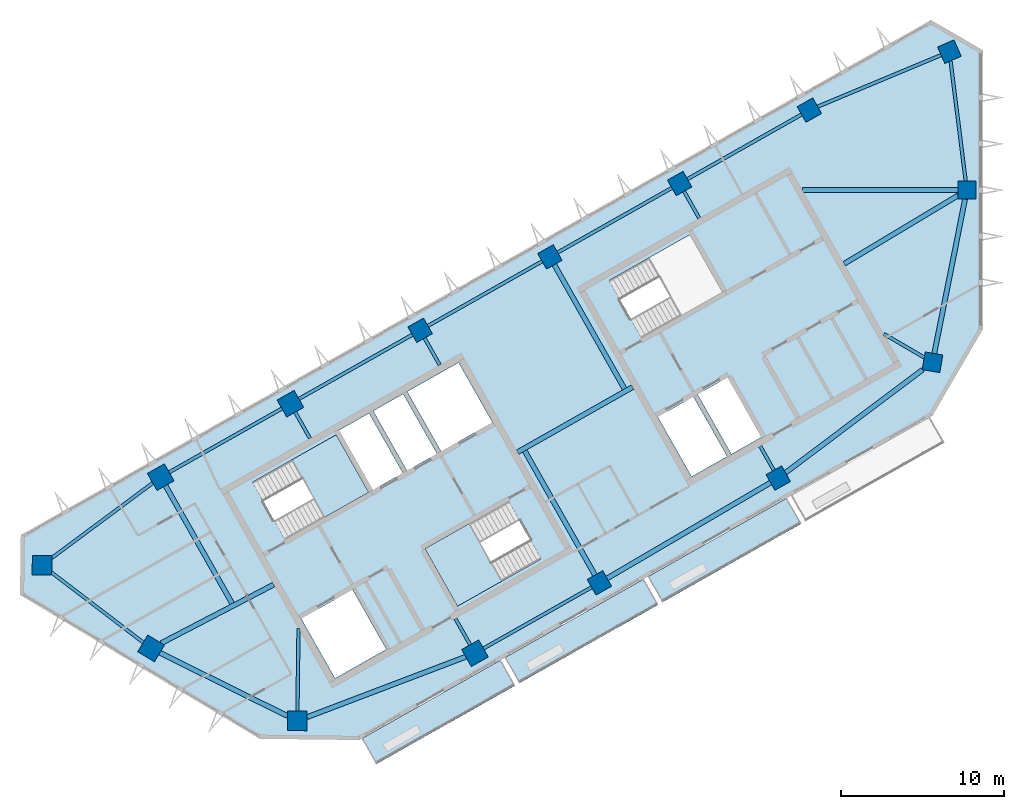
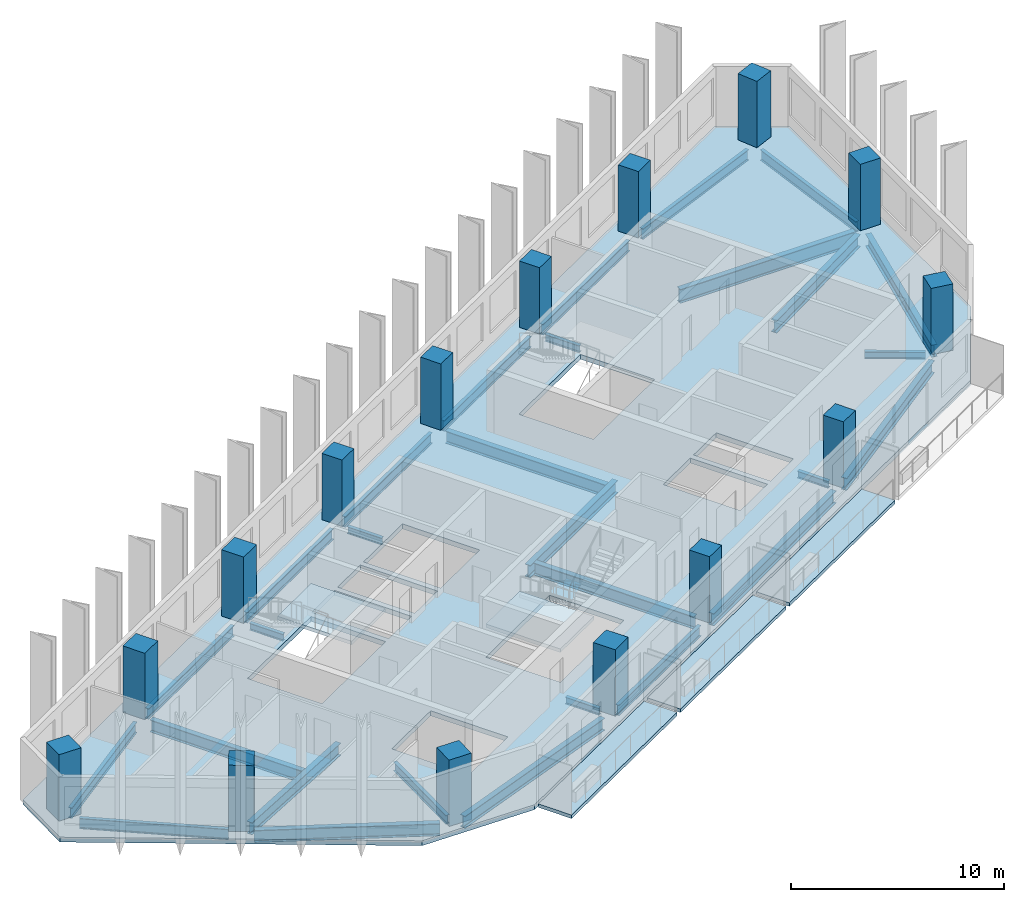
# One storey, part 1 of 8: 29 beams, 15 columns, 6 slabs, 2 elements without a shape of their own.
"""IFC4 building model written with IfcOpenShell, lengths in metres."""

from ifc_helpers import new_model, si_unit, direction, frame, origin, origin_2d, place, context, subcontext, project, spatial, polyline, rectangle, i_section, outline, extrude, material, layer, layer_set, material_profile, profile_set, type_object, element, aggregate, save


model = new_model("IFC4")

# Units and contexts
model_context = context("Model", 3, precision=1e-05, world=origin(), true_north=direction((0.0, 1.0)))
body_context = subcontext(model_context, "Body", "Model", "MODEL_VIEW")
ifc_project = project(units=[si_unit("LENGTHUNIT", "METRE"), si_unit("AREAUNIT", "SQUARE_METRE"), si_unit("VOLUMEUNIT", "CUBIC_METRE"), si_unit("PLANEANGLEUNIT", "RADIAN"), si_unit("MASSUNIT", "GRAM", prefix="KILO")], contexts=[model_context])

# Site, building, storey
site_placement = place(None, origin())
site = spatial("IfcSite", under=ifc_project, at=site_placement, CompositionType="ELEMENT")
building_placement = place(site_placement, origin())
building = spatial("IfcBuilding", under=site, at=building_placement, Name="Binnacle Exchange Tower", CompositionType="ELEMENT")
storey_placement = place(building_placement, frame((0.0, 0.0, 293.10009765625)))
storey = spatial("IfcBuildingStorey", under=building, at=storey_placement, Name="L65", CompositionType="ELEMENT", Elevation=293.10009765625)

# Columns
ifc_material_1 = material(Name="Concrete C60/75", Category="concrete")
ifc_material_profile_1 = material_profile(ifc_material_1, rectangle(XDim=1.10009765625, YDim=1.10009765625, at=origin_2d()), Name="Mega column 1100x1100 C60/75")
ifc_profile_set_1 = profile_set([ifc_material_profile_1], Name="Concrete C60/75")
column_type_1 = type_object("IfcColumnType", Name="Mega column 1100x1100 C60/75", PredefinedType="COLUMN", material=ifc_profile_set_1)
for number, where, z_axis, x_axis, name in (
    (1, (-10.4951171875, 64.901611328125, 0.0), (0.0, 0.0, 1.0), (-0.87035569594, -0.492423560103, 0.0), "S:COL:MC38:L65"),
    (2, (-18.44140625, 60.406005859375, 0.0), (0.0, 0.0, 1.0), (-0.87035569594, -0.492423560103, 0.0), "S:COL:MC29:L65"),
    (3, (-26.3876953125, 55.91015625, 0.0), (0.0, 0.0, 1.0), (-0.87035569594, -0.492423560103, 0.0), "S:COL:MC21:L65"),
    (4, (-34.333740234375, 51.414306640625, 0.0), (0.0, 0.0, 1.0), (-0.87035569594, -0.492423560103, 0.0), "S:COL:MC13:L65"),
    (5, (-23.35595703125, 35.9462890625, 0.0), (0.0, 0.0, 1.0), (0.87035569594, 0.492423560103, 0.0), "S:COL:MC16:L65"),
    (6, (-2.955322265625, 49.45556640625, 0.0), (0.0, 0.0, 1.0), (-0.98522612636, 0.171258517854, 0.0), "S:COL:MC43:L65"),
    (7, (-0.85009765625, 60.0, 0.0), (0.0, 0.0, 1.0), (0.0, 1.0, 0.0), "S:COL:MC45:L65"),
    (8, (-1.920166015625, 68.4833984375, 0.0), (0.0, 0.0, 1.0), (-0.91471298536, -0.40410413808, 0.0), "S:COL:MC44:L65"),
    (9, (-12.39990234375, 42.36328125, 0.0), (0.0, 0.0, 1.0), (0.87035569594, 0.492423560103, 0.0), "S:COL:MC30:L65"),
):
    element("IfcColumn", number, at=place(storey_placement, frame(where, z_axis=z_axis, x_axis=x_axis)), inside=storey, type_object=column_type_1, Name=name, PredefinedType="COLUMN", context=body_context, shape_type="SweptSolid", body=[
        extrude(rectangle(XDim=1.10009765625, YDim=1.10009765625, at=origin_2d()), origin(), (0.0, 0.0, 1.0), 3.7998046875),
    ])
ifc_material_profile_2 = material_profile(ifc_material_1, rectangle(XDim=1.199951171875, YDim=1.199951171875, at=origin_2d()), Name="Mega column 1200x1200 C60/75")
ifc_profile_set_2 = profile_set([ifc_material_profile_2], Name="Concrete C60/75")
column_type_2 = type_object("IfcColumnType", Name="Mega column 1200x1200 C60/75", PredefinedType="COLUMN", material=ifc_profile_set_2)
for number, where, z_axis, x_axis, name in (
    (10, (-42.280029296875, 46.918701171875, 0.0), (0.0, 0.0, 1.0), (-0.87035569594, -0.492423560103, 0.0), "S:COL:MC08:L65"),
    (11, (-50.226318359375, 42.4228515625, 0.0), (0.0, 0.0, 1.0), (-0.87035569594, -0.492423560103, 0.0), "S:COL:MC04:L65"),
    (12, (-57.492919921875, 37.02734375, 0.0), (0.0, 0.0, 1.0), (-0.013089595571, -0.999914327574, 0.0), "S:COL:MC02:L65"),
    (13, (-50.81201171875, 31.930908203125, 0.0), (0.0, 0.0, 1.0), (0.857167300702, -0.51503807491, 0.0), "S:COL:MC01:L65"),
    (14, (-41.857666015625, 27.494873046875, 0.0), (0.0, 0.0, 1.0), (0.999914327574, -0.013089595571, 0.0), "S:COL:MC03:L65"),
    (15, (-30.9755859375, 31.63525390625, 0.0), (0.0, 0.0, 1.0), (0.87035569594, 0.492423560103, 0.0), "S:COL:MC07:L65"),
):
    element("IfcColumn", number, at=place(storey_placement, frame(where, z_axis=z_axis, x_axis=x_axis)), inside=storey, type_object=column_type_2, Name=name, PredefinedType="COLUMN", context=body_context, shape_type="SweptSolid", body=[
        extrude(rectangle(XDim=1.199951171875, YDim=1.199951171875, at=origin_2d()), origin(), (0.0, 0.0, 1.0), 3.7998046875),
    ])

# Beams
ifc_material_2 = material(Name="Steel S355 (SHN355)", Category="steel")
ifc_material_profile_3 = material_profile(ifc_material_2, i_section(OverallWidth=0.199951171875, OverallDepth=0.60009765625, WebThickness=0.010986328125, FlangeThickness=0.01708984375, FilletRadius=0.02197265625, at=origin_2d()), Name="H 600x200x11x17")
ifc_profile_set_3 = profile_set([ifc_material_profile_3], Name="Steel S355 (SHN355)")
beam_type_1 = type_object("IfcBeamType", Name="Edge girder H 600x200x11x17 Steel S355 (SHN355)", PredefinedType="SPANDREL", material=ifc_profile_set_3)
beam_1_placement = place(storey_placement, frame((-56.89892578125, 36.57421875, -0.580078125), z_axis=(0.795079526259, -0.606505191176, 0.0), x_axis=(0.606505191176, 0.795079526259, 0.0)))
element("IfcBeam", 16, at=beam_1_placement, inside=storey, type_object=beam_type_1, Name="S:BM:edge:L65:004", PredefinedType="SPANDREL", context=body_context, shape_type="SweptSolid", body=[
    extrude(i_section(OverallWidth=0.199951171875, OverallDepth=0.60009765625, WebThickness=0.010986328125, FlangeThickness=0.01708984375, FilletRadius=0.02197265625, at=origin_2d()), origin(), (0.0, 0.0, 1.0), 7.052001953125),
])
ifc_material_profile_4 = material_profile(ifc_material_2, i_section(OverallWidth=0.200927734375, OverallDepth=0.60595703125, WebThickness=0.011962890625, FlangeThickness=0.02001953125, FilletRadius=0.02197265625, at=origin_2d()), Name="H 606x201x12x20")
ifc_profile_set_4 = profile_set([ifc_material_profile_4], Name="Steel S355 (SHN355)")
beam_type_2 = type_object("IfcBeamType", Name="Edge girder H 606x201x12x20 Steel S355 (SHN355)", PredefinedType="SPANDREL", material=ifc_profile_set_4)
beam_2_placement = place(storey_placement, frame((-50.711669921875, 42.0625, -0.5830078125), z_axis=(-0.802889255085, -0.596128211099, 0.0), x_axis=(0.596128211099, -0.802889255085, 0.0)))
element("IfcBeam", 17, at=beam_2_placement, inside=storey, type_object=beam_type_2, Name="S:BM:edge:L65:005", PredefinedType="SPANDREL", context=body_context, shape_type="SweptSolid", body=[
    extrude(i_section(OverallWidth=0.200927734375, OverallDepth=0.60595703125, WebThickness=0.011962890625, FlangeThickness=0.02001953125, FilletRadius=0.02197265625, at=origin_2d()), origin(), (0.0, 0.0, 1.0), 7.691650390625),
])
beam_3_placement = place(storey_placement, frame((-30.453369140625, 31.930908203125, -0.5830078125), z_axis=(0.870370831478, 0.49239680717, 0.0), x_axis=(-0.49239680717, 0.870370831478, 0.0)))
element("IfcBeam", 18, at=beam_3_placement, inside=storey, type_object=beam_type_2, Name="S:BM:edge:L65:010", PredefinedType="SPANDREL", context=body_context, shape_type="SweptSolid", body=[
    extrude(i_section(OverallWidth=0.200927734375, OverallDepth=0.60595703125, WebThickness=0.011962890625, FlangeThickness=0.02001953125, FilletRadius=0.02197265625, at=origin_2d()), origin(), (0.0, 0.0, 1.0), 7.6044921875),
])
beam_4_placement = place(storey_placement, frame((-0.91943359375, 60.550048828125, -0.5830078125), z_axis=(-0.125160121745, 0.992136555079, 0.0), x_axis=(-0.992136555079, -0.125160121745, 0.0)))
element("IfcBeam", 19, at=beam_4_placement, inside=storey, type_object=beam_type_2, Name="S:BM:edge:L65:018", PredefinedType="SPANDREL", context=body_context, shape_type="SweptSolid", body=[
    extrude(i_section(OverallWidth=0.200927734375, OverallDepth=0.60595703125, WebThickness=0.011962890625, FlangeThickness=0.02001953125, FilletRadius=0.02197265625, at=origin_2d()), origin(), (0.0, 0.0, 1.0), 7.422119140625),
])
ifc_material_profile_5 = material_profile(ifc_material_2, i_section(OverallWidth=0.201904296875, OverallDepth=0.612060546875, WebThickness=0.012939453125, FlangeThickness=0.02294921875, FilletRadius=0.02197265625, at=origin_2d()), Name="H 612x202x13x23")
ifc_profile_set_5 = profile_set([ifc_material_profile_5], Name="Steel S355 (SHN355)")
beam_type_3 = type_object("IfcBeamType", Name="Edge girder H 612x202x13x23 Steel S355 (SHN355)", PredefinedType="SPANDREL", material=ifc_profile_set_5)
beam_5_placement = place(storey_placement, frame((-42.80224609375, 46.623291015625, -0.586181640625), z_axis=(-0.870360926906, -0.492414314288, 0.0), x_axis=(0.492414314288, -0.870360926906, 0.0)))
element("IfcBeam", 20, at=beam_5_placement, inside=storey, type_object=beam_type_3, Name="S:BM:edge:L65:007", PredefinedType="SPANDREL", context=body_context, shape_type="SweptSolid", body=[
    extrude(i_section(OverallWidth=0.201904296875, OverallDepth=0.612060546875, WebThickness=0.012939453125, FlangeThickness=0.02294921875, FilletRadius=0.02197265625, at=origin_2d()), origin(), (0.0, 0.0, 1.0), 7.929931640625),
])
beam_6_placement = place(storey_placement, frame((-34.8125, 51.1435546875, -0.586181640625), z_axis=(-0.870357059543, -0.492421149935, 0.0), x_axis=(0.492421149935, -0.870357059543, 0.0)))
element("IfcBeam", 21, at=beam_6_placement, inside=storey, type_object=beam_type_3, Name="S:BM:edge:L65:009", PredefinedType="SPANDREL", context=body_context, shape_type="SweptSolid", body=[
    extrude(i_section(OverallWidth=0.201904296875, OverallDepth=0.612060546875, WebThickness=0.012939453125, FlangeThickness=0.02294921875, FilletRadius=0.02197265625, at=origin_2d()), origin(), (0.0, 0.0, 1.0), 7.979736328125),
])
beam_7_placement = place(storey_placement, frame((-26.8662109375, 55.639404296875, -0.586181640625), z_axis=(-0.870353240257, -0.492427900482, 0.0), x_axis=(0.492427900482, -0.870353240257, 0.0)))
element("IfcBeam", 22, at=beam_7_placement, inside=storey, type_object=beam_type_3, Name="S:BM:edge:L65:011", PredefinedType="SPANDREL", context=body_context, shape_type="SweptSolid", body=[
    extrude(i_section(OverallWidth=0.201904296875, OverallDepth=0.612060546875, WebThickness=0.012939453125, FlangeThickness=0.02294921875, FilletRadius=0.02197265625, at=origin_2d()), origin(), (0.0, 0.0, 1.0), 8.02978515625),
])
beam_8_placement = place(storey_placement, frame((-18.919921875, 60.13525390625, -0.586181640625), z_axis=(-0.870347582166, -0.492437900875, 0.0), x_axis=(0.492437900875, -0.870347582166, 0.0)))
element("IfcBeam", 23, at=beam_8_placement, inside=storey, type_object=beam_type_3, Name="S:BM:edge:L65:013", PredefinedType="SPANDREL", context=body_context, shape_type="SweptSolid", body=[
    extrude(i_section(OverallWidth=0.201904296875, OverallDepth=0.612060546875, WebThickness=0.012939453125, FlangeThickness=0.02294921875, FilletRadius=0.02197265625, at=origin_2d()), origin(), (0.0, 0.0, 1.0), 8.030029296875),
])
beam_9_placement = place(storey_placement, frame((-10.973876953125, 64.630859375, -0.586181640625), z_axis=(-0.870353240257, -0.492427900482, 0.0), x_axis=(0.492427900482, -0.870353240257, 0.0)))
element("IfcBeam", 24, at=beam_9_placement, inside=storey, type_object=beam_type_3, Name="S:BM:edge:L65:015", PredefinedType="SPANDREL", context=body_context, shape_type="SweptSolid", body=[
    extrude(i_section(OverallWidth=0.201904296875, OverallDepth=0.612060546875, WebThickness=0.012939453125, FlangeThickness=0.02294921875, FilletRadius=0.02197265625, at=origin_2d()), origin(), (0.0, 0.0, 1.0), 8.02978515625),
])
beam_10_placement = place(storey_placement, frame((-2.427734375, 68.271240234375, -0.586181640625), z_axis=(-0.922746687756, -0.385406992977, 0.0), x_axis=(0.385406992977, -0.922746687756, 0.0)))
element("IfcBeam", 25, at=beam_10_placement, inside=storey, type_object=beam_type_3, Name="S:BM:edge:L65:017", PredefinedType="SPANDREL", context=body_context, shape_type="SweptSolid", body=[
    extrude(i_section(OverallWidth=0.201904296875, OverallDepth=0.612060546875, WebThickness=0.012939453125, FlangeThickness=0.02294921875, FilletRadius=0.02197265625, at=origin_2d()), origin(), (0.0, 0.0, 1.0), 8.188720703125),
])
ifc_material_profile_6 = material_profile(ifc_material_2, i_section(OverallWidth=0.300048828125, OverallDepth=0.699951171875, WebThickness=0.012939453125, FlangeThickness=0.02392578125, FilletRadius=0.028076171875, at=origin_2d()), Name="H 700x300x13x24")
ifc_profile_set_6 = profile_set([ifc_material_profile_6], Name="Steel S355 (SHN355)")
beam_type_4 = type_object("IfcBeamType", Name="Edge girder H 700x300x13x24 Steel S355 (SHN355)", PredefinedType="SPANDREL", material=ifc_profile_set_6)
beam_11_placement = place(storey_placement, frame((-50.272705078125, 31.663818359375, -0.630126953125), z_axis=(0.896066323919, -0.443920199066, 0.0), x_axis=(0.443920199066, 0.896066323919, 0.0)))
element("IfcBeam", 26, at=beam_11_placement, inside=storey, type_object=beam_type_4, Name="S:BM:edge:L65:006", PredefinedType="SPANDREL", context=body_context, shape_type="SweptSolid", body=[
    extrude(i_section(OverallWidth=0.300048828125, OverallDepth=0.699951171875, WebThickness=0.012939453125, FlangeThickness=0.02392578125, FilletRadius=0.028076171875, at=origin_2d()), origin(), (0.0, 0.0, 1.0), 8.725830078125),
])
beam_12_placement = place(storey_placement, frame((-41.254638671875, 27.724365234375, -0.630126953125), z_axis=(0.934635421438, 0.355607408519, 0.0), x_axis=(-0.355607408519, 0.934635421438, 0.0)))
element("IfcBeam", 27, at=beam_12_placement, inside=storey, type_object=beam_type_4, Name="S:BM:edge:L65:008", PredefinedType="SPANDREL", context=body_context, shape_type="SweptSolid", body=[
    extrude(i_section(OverallWidth=0.300048828125, OverallDepth=0.699951171875, WebThickness=0.012939453125, FlangeThickness=0.02392578125, FilletRadius=0.028076171875, at=origin_2d()), origin(), (0.0, 0.0, 1.0), 10.390869140625),
])
beam_13_placement = place(storey_placement, frame((-11.95654296875, 42.6962890625, -0.630126953125), z_axis=(0.799642767002, 0.600476015493, 0.0), x_axis=(-0.600476015493, 0.799642767002, 0.0)))
element("IfcBeam", 28, at=beam_13_placement, inside=storey, type_object=beam_type_4, Name="S:BM:edge:L65:014", PredefinedType="SPANDREL", context=body_context, shape_type="SweptSolid", body=[
    extrude(i_section(OverallWidth=0.300048828125, OverallDepth=0.699951171875, WebThickness=0.012939453125, FlangeThickness=0.02392578125, FilletRadius=0.028076171875, at=origin_2d()), origin(), (0.0, 0.0, 1.0), 10.50146484375),
])
beam_14_placement = place(storey_placement, frame((-2.84765625, 49.9951171875, -0.630126953125), z_axis=(0.195814210945, 0.980641012191, 0.0), x_axis=(-0.980641012191, 0.195814210945, 0.0)))
element("IfcBeam", 29, at=beam_14_placement, inside=storey, type_object=beam_type_4, Name="S:BM:edge:L65:016", PredefinedType="SPANDREL", context=body_context, shape_type="SweptSolid", body=[
    extrude(i_section(OverallWidth=0.300048828125, OverallDepth=0.699951171875, WebThickness=0.012939453125, FlangeThickness=0.02392578125, FilletRadius=0.028076171875, at=origin_2d()), origin(), (0.0, 0.0, 1.0), 9.6416015625),
])
ifc_material_profile_7 = material_profile(ifc_material_2, i_section(OverallWidth=0.302001953125, OverallDepth=0.7080078125, WebThickness=0.014892578125, FlangeThickness=0.028076171875, FilletRadius=0.028076171875, at=origin_2d()), Name="H 708x302x15x28")
ifc_profile_set_7 = profile_set([ifc_material_profile_7], Name="Steel S355 (SHN355)")
beam_type_5 = type_object("IfcBeamType", Name="Edge girder H 708x302x15x28 Steel S355 (SHN355)", PredefinedType="SPANDREL", material=ifc_profile_set_7)
beam_15_placement = place(storey_placement, frame((-22.88134765625, 36.22412109375, -0.634033203125), z_axis=(0.86288572191, 0.50539908085, 0.0), x_axis=(-0.50539908085, 0.86288572191, 0.0)))
element("IfcBeam", 30, at=beam_15_placement, inside=storey, type_object=beam_type_5, Name="S:BM:edge:L65:012", PredefinedType="SPANDREL", context=body_context, shape_type="SweptSolid", body=[
    extrude(i_section(OverallWidth=0.302001953125, OverallDepth=0.7080078125, WebThickness=0.014892578125, FlangeThickness=0.028076171875, FilletRadius=0.028076171875, at=origin_2d()), origin(), (0.0, 0.0, 1.0), 11.596923828125),
])
ifc_material_profile_8 = material_profile(ifc_material_2, i_section(OverallWidth=0.199951171875, OverallDepth=0.39990234375, WebThickness=0.008056640625, FlangeThickness=0.012939453125, FilletRadius=0.01611328125, at=origin_2d()), Name="H 400x200x8x13")
ifc_profile_set_8 = profile_set([ifc_material_profile_8], Name="Steel S355 (SHN355)")
beam_type_6 = type_object("IfcBeamType", Name="Floor beam H 400x200x8x13 Steel S355 (SHN355)", PredefinedType="BEAM", material=ifc_profile_set_8)
beam_16_placement = place(storey_placement, frame((-41.984619140625, 46.396484375, -0.47998046875), z_axis=(0.492465079532, -0.87033220407, 0.0), x_axis=(0.87033220407, 0.492465079532, 0.0)))
element("IfcBeam", 31, at=beam_16_placement, inside=storey, type_object=beam_type_6, Name="S:BM:cross:L65:020", PredefinedType="BEAM", context=body_context, shape_type="SweptSolid", body=[
    extrude(i_section(OverallWidth=0.199951171875, OverallDepth=0.39990234375, WebThickness=0.008056640625, FlangeThickness=0.012939453125, FilletRadius=0.01611328125, at=origin_2d()), origin(), (0.0, 0.0, 1.0), 1.834228515625),
])
beam_17_placement = place(storey_placement, frame((-34.06298828125, 50.935791015625, -0.47998046875), z_axis=(0.492437150105, -0.870348006947, 0.0), x_axis=(0.870348006947, 0.492437150105, 0.0)))
element("IfcBeam", 32, at=beam_17_placement, inside=storey, type_object=beam_type_6, Name="S:BM:cross:L65:022", PredefinedType="BEAM", context=body_context, shape_type="SweptSolid", body=[
    extrude(i_section(OverallWidth=0.199951171875, OverallDepth=0.39990234375, WebThickness=0.008056640625, FlangeThickness=0.012939453125, FilletRadius=0.01611328125, at=origin_2d()), origin(), (0.0, 0.0, 1.0), 1.884521484375),
])
beam_18_placement = place(storey_placement, frame((-31.27099609375, 32.157470703125, -0.47998046875), z_axis=(-0.492465079532, 0.87033220407, 0.0), x_axis=(-0.87033220407, -0.492465079532, 0.0)))
element("IfcBeam", 33, at=beam_18_placement, inside=storey, type_object=beam_type_6, Name="S:BM:cross:L65:023", PredefinedType="BEAM", context=body_context, shape_type="SweptSolid", body=[
    extrude(i_section(OverallWidth=0.199951171875, OverallDepth=0.39990234375, WebThickness=0.008056640625, FlangeThickness=0.012939453125, FilletRadius=0.01611328125, at=origin_2d()), origin(), (0.0, 0.0, 1.0), 1.834228515625),
])
beam_19_placement = place(storey_placement, frame((-18.17041015625, 59.92724609375, -0.47998046875), z_axis=(0.492394529663, -0.870372119934, 0.0), x_axis=(0.870372119934, 0.492394529663, 0.0)))
element("IfcBeam", 34, at=beam_19_placement, inside=storey, type_object=beam_type_6, Name="S:BM:cross:L65:026", PredefinedType="BEAM", context=body_context, shape_type="SweptSolid", body=[
    extrude(i_section(OverallWidth=0.199951171875, OverallDepth=0.39990234375, WebThickness=0.008056640625, FlangeThickness=0.012939453125, FilletRadius=0.01611328125, at=origin_2d()), origin(), (0.0, 0.0, 1.0), 1.884033203125),
])
beam_20_placement = place(storey_placement, frame((-12.6708984375, 42.841796875, -0.47998046875), z_axis=(-0.492394350893, 0.870372221069, 0.0), x_axis=(-0.870372221069, -0.492394350893, 0.0)))
element("IfcBeam", 35, at=beam_20_placement, inside=storey, type_object=beam_type_6, Name="S:BM:cross:L65:027", PredefinedType="BEAM", context=body_context, shape_type="SweptSolid", body=[
    extrude(i_section(OverallWidth=0.199951171875, OverallDepth=0.39990234375, WebThickness=0.008056640625, FlangeThickness=0.012939453125, FilletRadius=0.01611328125, at=origin_2d()), origin(), (0.0, 0.0, 1.0), 1.6943359375),
])
beam_21_placement = place(storey_placement, frame((-3.46240234375, 49.751220703125, -0.47998046875), z_axis=(-0.863840862356, 0.503764790874, 0.0), x_axis=(-0.503764790874, -0.863840862356, 0.0)))
element("IfcBeam", 36, at=beam_21_placement, inside=storey, type_object=beam_type_6, Name="S:BM:cross:L65:028", PredefinedType="BEAM", context=body_context, shape_type="SweptSolid", body=[
    extrude(i_section(OverallWidth=0.199951171875, OverallDepth=0.39990234375, WebThickness=0.008056640625, FlangeThickness=0.012939453125, FilletRadius=0.01611328125, at=origin_2d()), origin(), (0.0, 0.0, 1.0), 2.85791015625),
])
ifc_material_profile_9 = material_profile(ifc_material_2, i_section(OverallWidth=0.200927734375, OverallDepth=0.506103515625, WebThickness=0.010986328125, FlangeThickness=0.01904296875, FilletRadius=0.02001953125, at=origin_2d()), Name="H 506x201x11x19")
ifc_profile_set_9 = profile_set([ifc_material_profile_9], Name="Steel S355 (SHN355)")
beam_type_7 = type_object("IfcBeamType", Name="Floor beam H 506x201x11x19 Steel S355 (SHN355)", PredefinedType="BEAM", material=ifc_profile_set_9)
beam_22_placement = place(storey_placement, frame((-41.849853515625, 28.0947265625, -0.533203125), z_axis=(0.013099523714, 0.999914197558, 0.0), x_axis=(-0.999914197558, 0.013099523714, 0.0)))
element("IfcBeam", 37, at=beam_22_placement, inside=storey, type_object=beam_type_7, Name="S:BM:cross:L65:021", PredefinedType="BEAM", context=body_context, shape_type="SweptSolid", body=[
    extrude(i_section(OverallWidth=0.200927734375, OverallDepth=0.506103515625, WebThickness=0.010986328125, FlangeThickness=0.01904296875, FilletRadius=0.02001953125, at=origin_2d()), origin(), (0.0, 0.0, 1.0), 5.05078125),
])
ifc_material_profile_10 = material_profile(ifc_material_2, i_section(OverallWidth=0.300048828125, OverallDepth=0.699951171875, WebThickness=0.012939453125, FlangeThickness=0.02392578125, FilletRadius=0.028076171875, at=origin_2d()), Name="H 700x300x13x24")
ifc_profile_set_10 = profile_set([ifc_material_profile_10], Name="Steel S355 (SHN355)")
beam_type_8 = type_object("IfcBeamType", Name="Floor beam H 700x300x13x24 Steel S355 (SHN355)", PredefinedType="BEAM", material=ifc_profile_set_10)
beam_23_placement = place(storey_placement, frame((-49.9306640625, 41.900634765625, -0.630126953125), z_axis=(0.492421066821, -0.870357106566, 0.0), x_axis=(0.870357106566, 0.492421066821, 0.0)))
element("IfcBeam", 38, at=beam_23_placement, inside=storey, type_object=beam_type_8, Name="S:BM:cross:L65:019", PredefinedType="BEAM", context=body_context, shape_type="SweptSolid", body=[
    extrude(i_section(OverallWidth=0.300048828125, OverallDepth=0.699951171875, WebThickness=0.012939453125, FlangeThickness=0.02392578125, FilletRadius=0.028076171875, at=origin_2d()), origin(), (0.0, 0.0, 1.0), 8.291259765625),
])
ifc_material_profile_11 = material_profile(ifc_material_2, i_section(OverallWidth=0.302001953125, OverallDepth=0.7080078125, WebThickness=0.014892578125, FlangeThickness=0.028076171875, FilletRadius=0.028076171875, at=origin_2d()), Name="H 708x302x15x28")
ifc_profile_set_11 = profile_set([ifc_material_profile_11], Name="Steel S355 (SHN355)")
beam_type_9 = type_object("IfcBeamType", Name="Floor beam H 708x302x15x28 Steel S355 (SHN355)", PredefinedType="BEAM", material=ifc_profile_set_11)
beam_24_placement = place(storey_placement, frame((-26.11669921875, 55.431396484375, -0.634033203125), z_axis=(0.492413671625, -0.870361290497, 0.0), x_axis=(0.870361290497, 0.492413671625, 0.0)))
element("IfcBeam", 39, at=beam_24_placement, inside=storey, type_object=beam_type_9, Name="S:BM:cross:L65:024", PredefinedType="BEAM", context=body_context, shape_type="SweptSolid", body=[
    extrude(i_section(OverallWidth=0.302001953125, OverallDepth=0.7080078125, WebThickness=0.014892578125, FlangeThickness=0.028076171875, FilletRadius=0.028076171875, at=origin_2d()), origin(), (0.0, 0.0, 1.0), 8.734130859375),
])
beam_25_placement = place(storey_placement, frame((-23.626708984375, 36.4248046875, -0.634033203125), z_axis=(-0.492422866295, 0.870356088477, 0.0), x_axis=(-0.870356088477, -0.492422866295, 0.0)))
element("IfcBeam", 40, at=beam_25_placement, inside=storey, type_object=beam_type_9, Name="S:BM:cross:L65:025", PredefinedType="BEAM", context=body_context, shape_type="SweptSolid", body=[
    extrude(i_section(OverallWidth=0.302001953125, OverallDepth=0.7080078125, WebThickness=0.014892578125, FlangeThickness=0.028076171875, FilletRadius=0.028076171875, at=origin_2d()), origin(), (0.0, 0.0, 1.0), 8.734375),
])
ifc_material_profile_12 = material_profile(ifc_material_2, i_section(OverallWidth=0.300048828125, OverallDepth=0.800048828125, WebThickness=0.013916015625, FlangeThickness=0.02587890625, FilletRadius=0.028076171875, at=origin_2d()), Name="H 800x300x14x26")
ifc_profile_set_12 = profile_set([ifc_material_profile_12], Name="Steel S355 (SHN355)")
beam_type_10 = type_object("IfcBeamType", Name="Floor beam H 800x300x14x26 Steel S355 (SHN355)", PredefinedType="BEAM", material=ifc_profile_set_12)
beam_26_placement = place(storey_placement, frame((-1.39990234375, 60.0, -0.68017578125), z_axis=(-1.0, 0.0, 0.0), x_axis=(0.0, -1.0, 0.0)))
element("IfcBeam", 41, at=beam_26_placement, inside=storey, type_object=beam_type_10, Name="S:BM:cross:L65:029", PredefinedType="BEAM", context=body_context, shape_type="SweptSolid", body=[
    extrude(i_section(OverallWidth=0.300048828125, OverallDepth=0.800048828125, WebThickness=0.013916015625, FlangeThickness=0.02587890625, FilletRadius=0.028076171875, at=origin_2d()), origin(), (0.0, 0.0, 1.0), 9.51513671875),
])
ifc_material_profile_13 = material_profile(ifc_material_2, i_section(OverallWidth=0.300048828125, OverallDepth=0.699951171875, WebThickness=0.012939453125, FlangeThickness=0.02392578125, FilletRadius=0.028076171875, at=origin_2d()), Name="H 700x300x13x24")
ifc_profile_set_13 = profile_set([ifc_material_profile_13], Name="Steel S355 (SHN355)")
beam_type_11 = type_object("IfcBeamType", Name="Spine girder H 700x300x13x24 Steel S355 (SHN355)", PredefinedType="BEAM", material=ifc_profile_set_13)
beam_27_placement = place(storey_placement, frame((-50.18798828125, 32.255859375, -0.630126953125), z_axis=(0.886980159322, 0.461807532387, 0.0), x_axis=(-0.461807532387, 0.886980159322, 0.0)))
element("IfcBeam", 42, at=beam_27_placement, inside=storey, type_object=beam_type_11, Name="S:BM:spine:L65:001", PredefinedType="BEAM", context=body_context, shape_type="SweptSolid", body=[
    extrude(i_section(OverallWidth=0.300048828125, OverallDepth=0.699951171875, WebThickness=0.012939453125, FlangeThickness=0.02392578125, FilletRadius=0.028076171875, at=origin_2d()), origin(), (0.0, 0.0, 1.0), 7.757080078125),
])
beam_28_placement = place(storey_placement, frame((-8.36328125, 55.489990234375, -0.630126953125), z_axis=(0.857389464427, 0.514668151618, 0.0), x_axis=(-0.514668151618, 0.857389464427, 0.0)))
element("IfcBeam", 43, at=beam_28_placement, inside=storey, type_object=beam_type_11, Name="S:BM:spine:L65:003", PredefinedType="BEAM", context=body_context, shape_type="SweptSolid", body=[
    extrude(i_section(OverallWidth=0.300048828125, OverallDepth=0.699951171875, WebThickness=0.012939453125, FlangeThickness=0.02392578125, FilletRadius=0.028076171875, at=origin_2d()), origin(), (0.0, 0.0, 1.0), 8.12158203125),
])
ifc_material_profile_14 = material_profile(ifc_material_2, i_section(OverallWidth=0.302001953125, OverallDepth=0.7080078125, WebThickness=0.014892578125, FlangeThickness=0.028076171875, FilletRadius=0.028076171875, at=origin_2d()), Name="H 708x302x15x28")
ifc_profile_set_14 = profile_set([ifc_material_profile_14], Name="Steel S355 (SHN355)")
beam_type_12 = type_object("IfcBeamType", Name="Spine girder H 708x302x15x28 Steel S355 (SHN355)", PredefinedType="BEAM", material=ifc_profile_set_14)
beam_29_placement = place(storey_placement, frame((-28.365478515625, 43.951416015625, -0.634033203125), z_axis=(0.870350319004, 0.492433063684, 0.0), x_axis=(-0.492433063684, 0.870350319004, 0.0)))
element("IfcBeam", 44, at=beam_29_placement, inside=storey, type_object=beam_type_12, Name="S:BM:spine:L65:002", PredefinedType="BEAM", context=body_context, shape_type="SweptSolid", body=[
    extrude(i_section(OverallWidth=0.302001953125, OverallDepth=0.7080078125, WebThickness=0.014892578125, FlangeThickness=0.028076171875, FilletRadius=0.028076171875, at=origin_2d()), origin(), (0.0, 0.0, 1.0), 8.0908203125),
])

# Slabs
ifc_material_3 = material(Name="Concrete C35/45", Category="concrete")
ifc_layer_1 = layer(ifc_material_3, 0.199951171875)
ifc_layer_set_1 = layer_set([ifc_layer_1], Name="BALCONY SLAB 200")
slab_type_1 = type_object("IfcSlabType", Name="BALCONY SLAB 200", PredefinedType="FLOOR", material=ifc_layer_set_1)
slab_1_placement = place(storey_placement, frame((0.0, 0.0, -0.2001953125)))
element("IfcSlab", 45, at=slab_1_placement, inside=storey, type_object=slab_type_1, Name="Balcony BA-H07-00 L65", PredefinedType="FLOOR", context=body_context, shape_type="SweptSolid", body=[
    extrude(outline(polyline([(-37.90576171875, 26.410400390625), (-29.40380859375, 31.220458984375), (-28.517578125, 29.65380859375), (-37.019287109375, 24.84375), (-37.90576171875, 26.410400390625)])), origin(), (0.0, 0.0, 1.0), 0.2001953125),
])
slab_2_placement = place(storey_placement, frame((0.0, 0.0, -0.2001953125)))
element("IfcSlab", 46, at=slab_2_placement, inside=storey, type_object=slab_type_1, Name="Balcony BA-H07-01 L65", PredefinedType="FLOOR", context=body_context, shape_type="SweptSolid", body=[
    extrude(outline(polyline([(-29.142822265625, 31.3681640625), (-20.64111328125, 36.17822265625), (-19.754638671875, 34.611572265625), (-28.25634765625, 29.801513671875), (-29.142822265625, 31.3681640625)])), origin(), (0.0, 0.0, 1.0), 0.2001953125),
])
slab_3_placement = place(storey_placement, frame((0.0, 0.0, -0.2001953125)))
element("IfcSlab", 47, at=slab_3_placement, inside=storey, type_object=slab_type_1, Name="Balcony BA-H07-02 L65", PredefinedType="FLOOR", context=body_context, shape_type="SweptSolid", body=[
    extrude(outline(polyline([(-20.3798828125, 36.325927734375), (-11.878173828125, 41.135986328125), (-10.99169921875, 39.5693359375), (-19.493408203125, 34.759521484375), (-20.3798828125, 36.325927734375)])), origin(), (0.0, 0.0, 1.0), 0.2001953125),
])
ifc_layer_2 = layer(ifc_material_3, 0.280029296875)
ifc_layer_set_2 = layer_set([ifc_layer_2], Name="Floor slab 280 Concrete C35/45")
slab_type_2 = type_object("IfcSlabType", Name="Floor slab 280 Concrete C35/45", PredefinedType="FLOOR", material=ifc_layer_set_2)
slab_4_placement = place(storey_placement, frame((0.0, 0.0, -0.280029296875)))
element("IfcSlab", 48, at=slab_4_placement, inside=storey, type_object=slab_type_2, Name="S:SL:L65:01", PredefinedType="FLOOR", context=body_context, shape_type="SweptSolid", body=[
    extrude(outline(polyline([(-38.097900390625, 26.4453125), (-44.14404296875, 26.5244140625), (-58.716064453125, 35.280029296875), (-58.669921875, 38.80615234375), (-3.046142578125, 70.276611328125), (0.0, 68.5), (0.0, 51.5), (-3.046142578125, 46.276611328125), (-38.097900390625, 26.4453125)]), holes=[polyline([(-38.4794921875, 35.529296875), (-41.61279296875, 33.756591796875), (-39.544677734375, 30.10107421875), (-36.411376953125, 31.873779296875), (-38.4794921875, 35.529296875)]), polyline([(-32.04638671875, 34.515625), (-26.9287109375, 37.4111328125), (-28.923095703125, 40.93603515625), (-34.040771484375, 38.04052734375), (-32.04638671875, 34.515625)]), polyline([(-39.480712890625, 45.01611328125), (-44.598388671875, 42.12060546875), (-42.604248046875, 38.595703125), (-37.486572265625, 41.4912109375), (-39.480712890625, 45.01611328125)]), polyline([(-37.4658203125, 46.32861328125), (-39.293701171875, 45.29443359375), (-37.225341796875, 41.638916015625), (-35.397705078125, 42.673095703125), (-37.4658203125, 46.32861328125)]), polyline([(-17.598876953125, 47.343017578125), (-19.77490234375, 46.11181640625), (-17.70654296875, 42.456298828125), (-15.53076171875, 43.6875), (-17.598876953125, 47.343017578125)]), polyline([(-35.376953125, 47.51025390625), (-37.20458984375, 46.476318359375), (-35.136474609375, 42.82080078125), (-33.308837890625, 43.854736328125), (-35.376953125, 47.51025390625)]), polyline([(-15.510009765625, 48.52490234375), (-17.337890625, 47.49072265625), (-15.26953125, 43.835205078125), (-13.44189453125, 44.869384765625), (-15.510009765625, 48.52490234375)]), polyline([(-29.914306640625, 45.775390625), (-31.982666015625, 49.430908203125), (-35.115966796875, 47.657958984375), (-33.047607421875, 44.00244140625), (-29.914306640625, 45.775390625)]), polyline([(-15.822509765625, 53.748046875), (-17.81689453125, 57.27294921875), (-22.760498046875, 54.47607421875), (-20.76611328125, 50.950927734375), (-15.822509765625, 53.748046875)])]), origin(), (0.0, 0.0, 1.0), 0.280029296875),
])

# Stair, slab
stair_type = type_object("IfcStairType", Name="STAIR 22 RISERS 173", PredefinedType="HALF_TURN_STAIR", material=ifc_material_3)
stair_1_placement = place(storey_placement, origin())
stair_1 = element("IfcStair", 49, at=stair_1_placement, inside=storey, type_object=stair_type, Name="L65 Escape stair A1", PredefinedType="HALF_TURN_STAIR")
ifc_layer_3 = layer(ifc_material_3, 0.199951171875)
ifc_layer_set_3 = layer_set([ifc_layer_3], Name="STAIR LANDING 200")
slab_type_3 = type_object("IfcSlabType", Name="STAIR LANDING 200", PredefinedType="LANDING", material=ifc_layer_set_3)
slab_5_placement = place(storey_placement, frame((0.0, 0.0, 1.699951171875)))
slab_5 = element("IfcSlab", 50, at=slab_5_placement, type_object=slab_type_3, Name="STA1 landing 1", PredefinedType="LANDING", context=body_context, shape_type="SweptSolid", body=[
    extrude(outline(polyline([(-40.2021484375, 39.954833984375), (-37.486572265625, 41.4912109375), (-39.48095703125, 45.01611328125), (-42.1962890625, 43.479736328125), (-40.2021484375, 39.954833984375)])), origin(), (0.0, 0.0, 1.0), 0.199951171875),
])
aggregate(stair_1, [slab_5])

stair_2_placement = place(storey_placement, origin())
stair_2 = element("IfcStair", 51, at=stair_2_placement, inside=storey, type_object=stair_type, Name="L65 Escape stair A2", PredefinedType="HALF_TURN_STAIR")
slab_6_placement = place(storey_placement, frame((0.0, 0.0, 1.699951171875)))
slab_6 = element("IfcSlab", 52, at=slab_6_placement, type_object=slab_type_3, Name="STA2 landing 1", PredefinedType="LANDING", context=body_context, shape_type="SweptSolid", body=[
    extrude(outline(polyline([(-31.3251953125, 39.576904296875), (-34.040771484375, 38.04052734375), (-32.04638671875, 34.515625), (-29.330810546875, 36.052001953125), (-31.3251953125, 39.576904296875)])), origin(), (0.0, 0.0, 1.0), 0.199951171875),
])
aggregate(stair_2, [slab_6])

save(model, "model.ifc")
